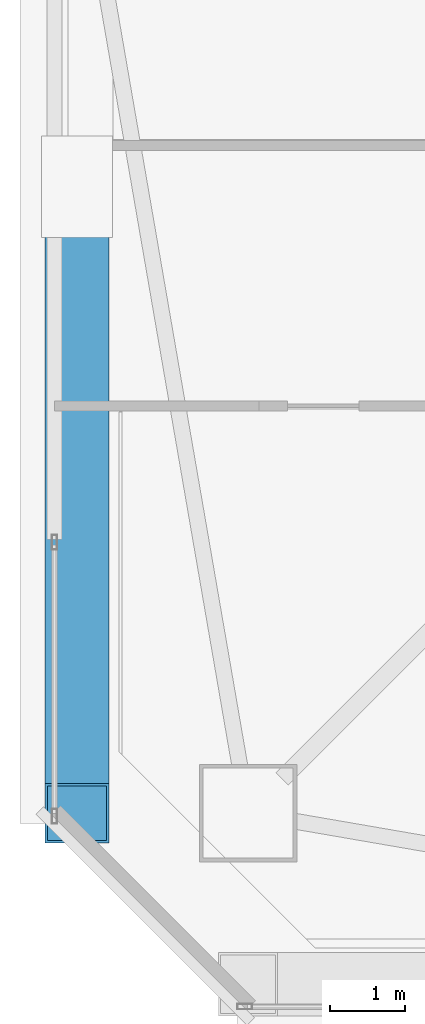
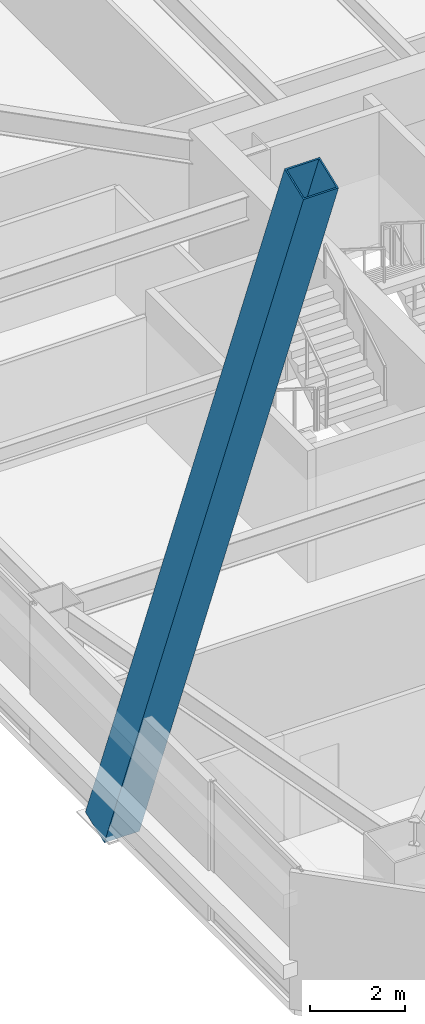
# One storey, part 6 of 54: 1 member.
"""IFC4 building model written with IfcOpenShell, lengths in metres."""

from ifc_helpers import new_model, si_unit, direction, frame, origin, origin_2d, place, context, subcontext, project, spatial, hollow_rectangle, extrude, material, material_profile, profile_set, type_object, element, save


model = new_model("IFC4")

# Units and contexts
model_context = context("Model", 3, precision=1e-05, world=origin(), true_north=direction((0.0, 1.0)))
body_context = subcontext(model_context, "Body", "Model", "MODEL_VIEW")
ifc_project = project(units=[si_unit("LENGTHUNIT", "METRE"), si_unit("AREAUNIT", "SQUARE_METRE"), si_unit("VOLUMEUNIT", "CUBIC_METRE"), si_unit("PLANEANGLEUNIT", "RADIAN"), si_unit("MASSUNIT", "GRAM", prefix="KILO")], contexts=[model_context])

# Site, building, storey
site_placement = place(None, origin())
site = spatial("IfcSite", under=ifc_project, at=site_placement, CompositionType="ELEMENT")
building_placement = place(site_placement, origin())
building = spatial("IfcBuilding", under=site, at=building_placement, Name="Tashvorn Skyway Center", CompositionType="ELEMENT")
storey_placement = place(building_placement, frame((0.0, 0.0, 135.699951171875)))
storey = spatial("IfcBuildingStorey", under=building, at=storey_placement, Name="L36", CompositionType="ELEMENT", Elevation=135.699951171875)

# Member
ifc_material = material(Name="Steel ASTM A572 Grade 50", Category="steel")
ifc_material_profile = material_profile(ifc_material, hollow_rectangle(XDim=0.85009765625, YDim=0.85009765625, WallThickness=0.034912109375, at=origin_2d()), Name="BOX850x850x35")
ifc_profile_set = profile_set([ifc_material_profile], Name="Steel ASTM A572 Grade 50")
member_type = type_object("IfcMemberType", Name="MEM-MB-850", PredefinedType="BRACE", material=ifc_profile_set)
member_placement = place(storey_placement, frame((23.02001953125, 23.64990234375, -0.449951171875), z_axis=(0.0, -0.361729555394, 0.932283073296), x_axis=(1.0, 0.0, 0.0)))
element("IfcMember", 1, at=member_placement, inside=storey, type_object=member_type, Name="Tower 1 Zone 3 W Chevron Mega-Brace R2", PredefinedType="BRACE", context=body_context, shape_type="SweptSolid", body=[
    extrude(hollow_rectangle(XDim=0.85009765625, YDim=0.85009765625, WallThickness=0.034912109375, at=origin_2d()), origin(), (0.0, 0.0, 1.0), 23.083251953125),
])

save(model, "model.ifc")
